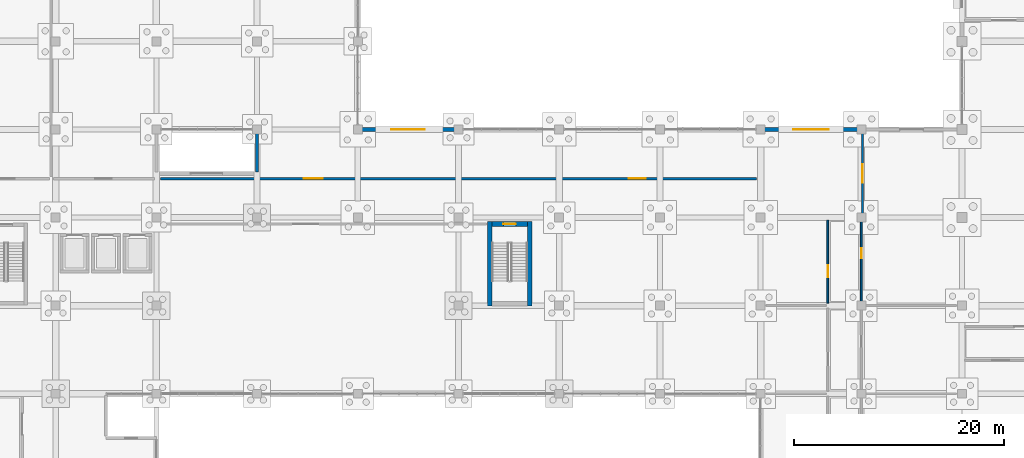
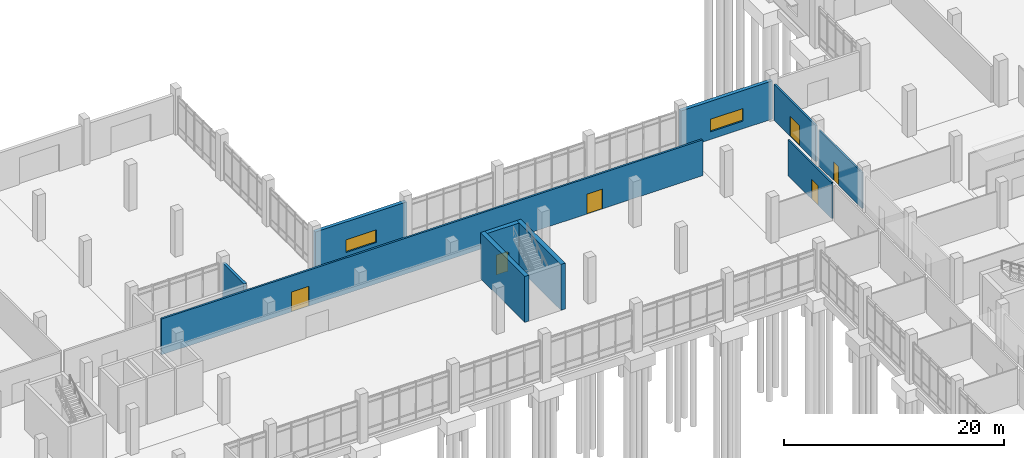
# One storey, part 110 of 136: 10 walls, 6 doors, 2 windows, 8 openings.
"""IFC4 building model written with IfcOpenShell, lengths in metres."""

from ifc_helpers import new_model, si_unit, direction, frame, frame_2d, origin, place, context, subcontext, project, spatial, rectangle, extrude, material, layer, layer_set, type_object, element, fill, save


model = new_model("IFC4")

# Units and contexts
model_context = context("Model", 3, precision=1e-05, world=origin(), true_north=direction((0.0, 1.0)))
body_context = subcontext(model_context, "Body", "Model", "MODEL_VIEW")
ifc_project = project(units=[si_unit("LENGTHUNIT", "METRE"), si_unit("AREAUNIT", "SQUARE_METRE"), si_unit("VOLUMEUNIT", "CUBIC_METRE"), si_unit("PLANEANGLEUNIT", "RADIAN"), si_unit("MASSUNIT", "GRAM", prefix="KILO")], contexts=[model_context])

# Site, building, storey
site_placement = place(None, origin())
site = spatial("IfcSite", under=ifc_project, at=site_placement, CompositionType="ELEMENT")
building_placement = place(site_placement, origin())
building = spatial("IfcBuilding", under=site, at=building_placement, Name="Oolite Switchyard Hospital", CompositionType="ELEMENT")
storey_placement = place(building_placement, origin())
storey = spatial("IfcBuildingStorey", under=building, at=storey_placement, Name="L00", CompositionType="ELEMENT", Elevation=0.0)

# Wall
ifc_material_1 = material(Name="Precast oolitic limestone architectural concrete C40/50", Category="masonry")
ifc_layer_1 = layer(ifc_material_1, 0.300048828125)
ifc_layer_set_1 = layer_set([ifc_layer_1], Name="WAL-EXT-300")
wall_type_1 = type_object("IfcWallType", Name="WAL-EXT-300", PredefinedType="SOLIDWALL", material=ifc_layer_set_1)
wall_1_placement = place(storey_placement, frame((67.199951171875, 105.159912109375, 0.0), z_axis=(0.0, 0.0, 1.0), x_axis=(0.0, 1.0, 0.0)))
element("IfcWall", 1, at=wall_1_placement, inside=storey, type_object=wall_type_1, Name="L00 Exterior Spandrel Wall 58", PredefinedType="SOLIDWALL", context=body_context, shape_type="SweptSolid", body=[
    extrude(rectangle(XDim=3.880126953125, YDim=0.300048828125, at=frame_2d((1.93994140625, 0.0))), origin(), (0.0, 0.0, 1.0), 4.239990234375),
])

# Wall, opening, window
ifc_layer_2 = layer(ifc_material_1, 0.360107421875)
ifc_layer_set_2 = layer_set([ifc_layer_2], Name="WAL-EXT-360")
wall_type_2 = type_object("IfcWallType", Name="WAL-EXT-360", PredefinedType="SOLIDWALL", material=ifc_layer_set_2)
wall_2_placement = place(storey_placement, frame((76.800048828125, 109.199951171875, 0.0), z_axis=(0.0, 0.0, 1.0), x_axis=(1.0, 0.0, 0.0)))
wall_2 = element("IfcWall", 2, at=wall_2_placement, inside=storey, type_object=wall_type_2, Name="L00 Exterior Spandrel Wall 26", PredefinedType="SOLIDWALL", context=body_context, shape_type="SweptSolid", body=[
    extrude(rectangle(XDim=9.599853515625, YDim=0.360107421875, at=frame_2d((4.7998046875, 0.0))), origin(), (0.0, 0.0, 1.0), 4.239990234375),
])
opening_1_placement = place(wall_2_placement, frame((3.199951171875, 0.0, 0.85009765625)))
opening_1 = element("IfcOpeningElement", 3, at=opening_1_placement, cuts=wall_2, Name="Opening WN-0011", PredefinedType="OPENING", context=body_context, shape_type="SweptSolid", body=[
    extrude(rectangle(XDim=3.199951171875, YDim=1.39990234375, at=frame_2d((1.60009765625, 0.699951171875))), frame((0.0, 0.18994140625, 0.0), z_axis=(0.0, -1.0, 0.0), x_axis=(1.0, 0.0, 0.0)), (0.0, 0.0, 1.0), 0.380126953125),
])
ifc_material_2 = material(Name="Thermally broken aluminum frame with laminated impact glazing", Category="aluminium")
window_type_1 = type_object("IfcWindowType", Name="WIN-IMP-320X140", PartitioningType="SINGLE_PANEL", PredefinedType="WINDOW", material=ifc_material_2)
window_1_placement = place(opening_1_placement, origin())
window_1 = element("IfcWindow", 4, at=window_1_placement, inside=storey, type_object=window_type_1, Name="L00 Hurricane Impact Window WN-0011", OverallHeight=1.39990234375, OverallWidth=3.199951171875, PartitioningType="SINGLE_PANEL", PredefinedType="WINDOW", context=body_context, shape_type="SweptSolid", body=[
    extrude(rectangle(XDim=3.199951171875, YDim=1.39990234375, at=frame_2d((1.60009765625, 0.699951171875))), frame((0.0, 0.030029296875, 0.0), z_axis=(0.0, -1.0, 0.0), x_axis=(1.0, 0.0, 0.0)), (0.0, 0.0, 1.0), 0.06005859375),
])
fill(opening_1, window_1)

ifc_layer_3 = layer(ifc_material_1, 0.3798828125)
ifc_layer_set_3 = layer_set([ifc_layer_3], Name="WAL-EXT-380")
wall_type_3 = type_object("IfcWallType", Name="WAL-EXT-380", PredefinedType="SOLIDWALL", material=ifc_layer_set_3)
wall_3_placement = place(storey_placement, frame((115.199951171875, 109.199951171875, 0.0), z_axis=(0.0, 0.0, 1.0), x_axis=(1.0, 0.0, 0.0)))
wall_3 = element("IfcWall", 5, at=wall_3_placement, inside=storey, type_object=wall_type_3, Name="L00 Exterior Spandrel Wall 27", PredefinedType="SOLIDWALL", context=body_context, shape_type="SweptSolid", body=[
    extrude(rectangle(XDim=9.60009765625, YDim=0.3798828125, at=frame_2d((4.800048828125, 0.0))), origin(), (0.0, 0.0, 1.0), 4.239990234375),
])
opening_2_placement = place(wall_3_placement, frame((3.10009765625, 0.0, 0.85009765625)))
opening_2 = element("IfcOpeningElement", 6, at=opening_2_placement, cuts=wall_3, Name="Opening WN-0012", PredefinedType="OPENING", context=body_context, shape_type="SweptSolid", body=[
    extrude(rectangle(XDim=3.39990234375, YDim=1.39990234375, at=frame_2d((1.699951171875, 0.699951171875))), frame((0.0, 0.199951171875, 0.0), z_axis=(0.0, -1.0, 0.0), x_axis=(1.0, 0.0, 0.0)), (0.0, 0.0, 1.0), 0.39990234375),
])
window_type_2 = type_object("IfcWindowType", Name="WIN-IMP-340X140", PartitioningType="SINGLE_PANEL", PredefinedType="WINDOW", material=ifc_material_2)
window_2_placement = place(opening_2_placement, origin())
window_2 = element("IfcWindow", 7, at=window_2_placement, inside=storey, type_object=window_type_2, Name="L00 Hurricane Impact Window WN-0012", OverallHeight=1.39990234375, OverallWidth=3.39990234375, PartitioningType="SINGLE_PANEL", PredefinedType="WINDOW", context=body_context, shape_type="SweptSolid", body=[
    extrude(rectangle(XDim=3.39990234375, YDim=1.39990234375, at=frame_2d((1.699951171875, 0.699951171875))), frame((0.0, 0.030029296875, 0.0), z_axis=(0.0, -1.0, 0.0), x_axis=(1.0, 0.0, 0.0)), (0.0, 0.0, 1.0), 0.06005859375),
])
fill(opening_2, window_2)

# Wall, opening, door
ifc_material_3 = material(Name="Moisture-resistant gypsum board on steel studs", Category="steel")
ifc_layer_4 = layer(ifc_material_3, 0.1650390625)
ifc_layer_set_4 = layer_set([ifc_layer_4], Name="WAL-PART-165")
wall_type_4 = type_object("IfcWallType", Name="WAL-PART-165", PredefinedType="PARTITIONING", material=ifc_layer_set_4)
wall_4_placement = place(storey_placement, frame((121.60009765625, 92.64990234375, 0.0), z_axis=(0.0, 0.0, 1.0), x_axis=(0.0, 1.0, 0.0)))
wall_4 = element("IfcWall", 8, at=wall_4_placement, inside=storey, type_object=wall_type_4, Name="L00 Interior Partition 75", PredefinedType="PARTITIONING", context=body_context, shape_type="SweptSolid", body=[
    extrude(rectangle(XDim=7.900146484375, YDim=0.1650390625, at=frame_2d((3.9501953125, 0.0))), origin(), (0.0, 0.0, 1.0), 3.97998046875),
])
opening_3_placement = place(wall_4_placement, frame((2.449951171875, 0.0, 0.0)))
opening_3 = element("IfcOpeningElement", 9, at=opening_3_placement, cuts=wall_4, Name="Opening D-0045", PredefinedType="OPENING", context=body_context, shape_type="SweptSolid", body=[
    extrude(rectangle(XDim=1.14990234375, YDim=2.199951171875, at=frame_2d((0.574951171875, 1.10009765625))), frame((0.0, 0.092529296875, 0.0), z_axis=(0.0, -1.0, 0.0), x_axis=(1.0, 0.0, 0.0)), (0.0, 0.0, 1.0), 0.18505859375),
])
ifc_material_4 = material(Name="Solid-core antimicrobial hardwood leaf in steel frame", Category="steel")
door_type_1 = type_object("IfcDoorType", Name="DR-CLIN-115X220", OperationType="NOTDEFINED", PredefinedType="DOOR", material=ifc_material_4)
door_1_placement = place(opening_3_placement, origin())
door_1 = element("IfcDoor", 10, at=door_1_placement, inside=storey, type_object=door_type_1, Name="L00 Interior Door D-0045", OperationType="SINGLE_SWING_RIGHT", OverallHeight=2.199951171875, OverallWidth=1.14990234375, PredefinedType="DOOR", context=body_context, shape_type="SweptSolid", body=[
    extrude(rectangle(XDim=1.14990234375, YDim=2.199951171875, at=frame_2d((0.574951171875, 1.10009765625))), frame((0.0, 0.02490234375, 0.0), z_axis=(0.0, -1.0, 0.0), x_axis=(1.0, 0.0, 0.0)), (0.0, 0.0, 1.0), 0.050048828125),
])
fill(opening_3, door_1)

wall_5_placement = place(storey_placement, frame((124.800048828125, 92.64990234375, 0.0), z_axis=(0.0, 0.0, 1.0), x_axis=(0.0, 1.0, 0.0)))
wall_5 = element("IfcWall", 11, at=wall_5_placement, inside=storey, type_object=wall_type_4, Name="L00 Interior Partition 77", PredefinedType="PARTITIONING", context=body_context, shape_type="SweptSolid", body=[
    extrude(rectangle(XDim=7.900146484375, YDim=0.1650390625, at=frame_2d((3.9501953125, 0.0))), origin(), (0.0, 0.0, 1.0), 3.97998046875),
])
opening_4_placement = place(wall_5_placement, frame((4.25, 0.0, 0.0)))
opening_4 = element("IfcOpeningElement", 12, at=opening_4_placement, cuts=wall_5, Name="Opening D-0046", PredefinedType="OPENING", context=body_context, shape_type="SweptSolid", body=[
    extrude(rectangle(XDim=0.949951171875, YDim=2.10009765625, at=frame_2d((0.47509765625, 1.050048828125))), frame((0.0, 0.092529296875, 0.0), z_axis=(0.0, -1.0, 0.0), x_axis=(1.0, 0.0, 0.0)), (0.0, 0.0, 1.0), 0.18505859375),
])
door_type_2 = type_object("IfcDoorType", Name="DR-BATH-095X210", OperationType="NOTDEFINED", PredefinedType="DOOR", material=ifc_material_4)
door_2_placement = place(opening_4_placement, origin())
door_2 = element("IfcDoor", 13, at=door_2_placement, inside=storey, type_object=door_type_2, Name="L00 Interior Door D-0046", OperationType="SINGLE_SWING_LEFT", OverallHeight=2.10009765625, OverallWidth=0.949951171875, PredefinedType="DOOR", context=body_context, shape_type="SweptSolid", body=[
    extrude(rectangle(XDim=0.949951171875, YDim=2.10009765625, at=frame_2d((0.47509765625, 1.050048828125))), frame((0.0, 0.02490234375, 0.0), z_axis=(0.0, -1.0, 0.0), x_axis=(1.0, 0.0, 0.0)), (0.0, 0.0, 1.0), 0.050048828125),
])
fill(opening_4, door_2)

# Walls
ifc_material_5 = material(Name="Concrete C50/60", Category="concrete")
ifc_layer_5 = layer(ifc_material_5, 0.449951171875)
ifc_layer_set_5 = layer_set([ifc_layer_5], Name="WAL-SHR-450")
wall_type_5 = type_object("IfcWallType", Name="WAL-SHR-450", PredefinedType="SHEAR", material=ifc_layer_set_5)
for number, where, z_axis, x_axis, name in (
    (14, (89.375, 100.39990234375, 0.0), (0.0, 0.0, 1.0), (0.0, -1.0, 0.0), "L00 Core Shear Wall ST-09"),
    (15, (93.18505859375, 92.35009765625, 0.0), (0.0, 0.0, 1.0), (0.0, 1.0, 0.0), "L00 Core Shear Wall ST-09"),
):
    element("IfcWall", number, at=place(storey_placement, frame(where, z_axis=z_axis, x_axis=x_axis)), inside=storey, type_object=wall_type_5, Name=name, PredefinedType="SHEAR", context=body_context, shape_type="SweptSolid", body=[
        extrude(rectangle(XDim=8.0498046875, YDim=0.449951171875, at=frame_2d((4.02490234375, 0.0))), origin(), (0.0, 0.0, 1.0), 5.10009765625),
    ])

# Wall, opening, door
wall_6_placement = place(storey_placement, frame((92.9599609375, 100.175048828125, 0.0), z_axis=(0.0, 0.0, 1.0), x_axis=(-1.0, 0.0, 0.0)))
wall_6 = element("IfcWall", 16, at=wall_6_placement, inside=storey, type_object=wall_type_5, Name="L00 Core Shear Wall ST-09", PredefinedType="SHEAR", context=body_context, shape_type="SweptSolid", body=[
    extrude(rectangle(XDim=3.35986328125, YDim=0.449951171875, at=frame_2d((1.679931640625, 0.0))), origin(), (0.0, 0.0, 1.0), 5.10009765625),
])
opening_5_placement = place(wall_6_placement, frame((1.080078125, 0.0, 0.0)))
opening_5 = element("IfcOpeningElement", 17, at=opening_5_placement, cuts=wall_6, Name="Opening SD-049", PredefinedType="OPENING", context=body_context, shape_type="SweptSolid", body=[
    extrude(rectangle(XDim=1.199951171875, YDim=2.199951171875, at=frame_2d((0.60009765625, 1.10009765625))), frame((0.0, 0.23486328125, 0.0), z_axis=(0.0, -1.0, 0.0), x_axis=(1.0, 0.0, 0.0)), (0.0, 0.0, 1.0), 0.469970703125),
])
ifc_material_6 = material(Name="Hollow metal fire-rated steel door assembly", Category="steel")
door_type_3 = type_object("IfcDoorType", Name="DR-STR-120X220", OperationType="NOTDEFINED", PredefinedType="DOOR", material=ifc_material_6)
door_3_placement = place(opening_5_placement, origin())
door_3 = element("IfcDoor", 18, at=door_3_placement, inside=storey, type_object=door_type_3, Name="L00 ST-09 Exit Stair Door SD-049", OperationType="SINGLE_SWING_LEFT", OverallHeight=2.199951171875, OverallWidth=1.199951171875, PredefinedType="DOOR", context=body_context, shape_type="SweptSolid", body=[
    extrude(rectangle(XDim=1.199951171875, YDim=2.199951171875, at=frame_2d((0.60009765625, 1.10009765625))), frame((0.0, 0.02490234375, 0.0), z_axis=(0.0, -1.0, 0.0), x_axis=(1.0, 0.0, 0.0)), (0.0, 0.0, 1.0), 0.050048828125),
])
fill(opening_5, door_3)

ifc_layer_6 = layer(ifc_material_3, 0.199951171875)
ifc_layer_set_6 = layer_set([ifc_layer_6], Name="WAL-SMK-200")
wall_type_6 = type_object("IfcWallType", Name="WAL-SMK-200", PredefinedType="PARTITIONING", material=ifc_layer_set_6)
wall_7_placement = place(storey_placement, frame((124.89990234375, 101.199951171875, 0.0), z_axis=(0.0, 0.0, 1.0), x_axis=(0.0, 1.0, 0.0)))
wall_7 = element("IfcWall", 19, at=wall_7_placement, inside=storey, type_object=wall_type_6, Name="L00 Interior Partition 79", PredefinedType="PARTITIONING", context=body_context, shape_type="SweptSolid", body=[
    extrude(rectangle(XDim=7.60009765625, YDim=0.199951171875, at=frame_2d((3.800048828125, 0.0))), origin(), (0.0, 0.0, 1.0), 3.97998046875),
])
opening_6_placement = place(wall_7_placement, frame((2.89990234375, 0.0, 0.0)))
opening_6 = element("IfcOpeningElement", 20, at=opening_6_placement, cuts=wall_7, Name="Opening D-0047", PredefinedType="OPENING", context=body_context, shape_type="SweptSolid", body=[
    extrude(rectangle(XDim=1.800048828125, YDim=2.199951171875, at=frame_2d((0.89990234375, 1.10009765625))), frame((0.0, 0.10986328125, 0.0), z_axis=(0.0, -1.0, 0.0), x_axis=(1.0, 0.0, 0.0)), (0.0, 0.0, 1.0), 0.219970703125),
])
door_type_4 = type_object("IfcDoorType", Name="DR-DBL-180X220", OperationType="NOTDEFINED", PredefinedType="DOOR", material=ifc_material_6)
door_4_placement = place(opening_6_placement, origin())
door_4 = element("IfcDoor", 21, at=door_4_placement, inside=storey, type_object=door_type_4, Name="L00 Interior Door D-0047", OperationType="DOUBLE_DOOR_SINGLE_SWING", OverallHeight=2.199951171875, OverallWidth=1.800048828125, PredefinedType="DOOR", context=body_context, shape_type="SweptSolid", body=[
    extrude(rectangle(XDim=1.800048828125, YDim=2.199951171875, at=frame_2d((0.89990234375, 1.10009765625))), frame((0.0, 0.02490234375, 0.0), z_axis=(0.0, -1.0, 0.0), x_axis=(1.0, 0.0, 0.0)), (0.0, 0.0, 1.0), 0.050048828125),
])
fill(opening_6, door_4)

# Wall, openings, doors
wall_8_placement = place(storey_placement, frame((58.0, 104.5, 0.0), z_axis=(0.0, 0.0, 1.0), x_axis=(1.0, 0.0, 0.0)))
wall_8 = element("IfcWall", 22, at=wall_8_placement, inside=storey, type_object=wall_type_6, Name="L00 Interior Partition 85", PredefinedType="PARTITIONING", context=body_context, shape_type="SweptSolid", body=[
    extrude(rectangle(XDim=56.800048828125, YDim=0.199951171875, at=frame_2d((28.39990234375, 0.0))), origin(), (0.0, 0.0, 1.0), 3.97998046875),
])
opening_7_placement = place(wall_8_placement, frame((13.64990234375, 0.0, 0.0)))
opening_7 = element("IfcOpeningElement", 23, at=opening_7_placement, cuts=wall_8, Name="Opening D-0051", PredefinedType="OPENING", context=body_context, shape_type="SweptSolid", body=[
    extrude(rectangle(XDim=1.800048828125, YDim=2.199951171875, at=frame_2d((0.89990234375, 1.10009765625))), frame((0.0, 0.10986328125, 0.0), z_axis=(0.0, -1.0, 0.0), x_axis=(1.0, 0.0, 0.0)), (0.0, 0.0, 1.0), 0.219970703125),
])
opening_8_placement = place(wall_8_placement, frame((44.64990234375, 0.0, 0.0)))
opening_8 = element("IfcOpeningElement", 24, at=opening_8_placement, cuts=wall_8, Name="Opening D-0052", PredefinedType="OPENING", context=body_context, shape_type="SweptSolid", body=[
    extrude(rectangle(XDim=1.60009765625, YDim=2.199951171875, at=frame_2d((0.800048828125, 1.10009765625))), frame((0.0, 0.10986328125, 0.0), z_axis=(0.0, -1.0, 0.0), x_axis=(1.0, 0.0, 0.0)), (0.0, 0.0, 1.0), 0.219970703125),
])
door_type_5 = type_object("IfcDoorType", Name="DR-DBL-160X220", OperationType="NOTDEFINED", PredefinedType="DOOR", material=ifc_material_6)
door_5_placement = place(opening_8_placement, origin())
door_5 = element("IfcDoor", 25, at=door_5_placement, inside=storey, type_object=door_type_5, Name="L00 Interior Door D-0052", OperationType="DOUBLE_DOOR_SINGLE_SWING", OverallHeight=2.199951171875, OverallWidth=1.60009765625, PredefinedType="DOOR", context=body_context, shape_type="SweptSolid", body=[
    extrude(rectangle(XDim=1.60009765625, YDim=2.199951171875, at=frame_2d((0.800048828125, 1.10009765625))), frame((0.0, 0.02490234375, 0.0), z_axis=(0.0, -1.0, 0.0), x_axis=(1.0, 0.0, 0.0)), (0.0, 0.0, 1.0), 0.050048828125),
])
fill(opening_8, door_5)
door_6_placement = place(opening_7_placement, origin())
door_6 = element("IfcDoor", 26, at=door_6_placement, inside=storey, type_object=door_type_4, Name="L00 Interior Door D-0051", OperationType="DOUBLE_DOOR_SINGLE_SWING", OverallHeight=2.199951171875, OverallWidth=1.800048828125, PredefinedType="DOOR", context=body_context, shape_type="SweptSolid", body=[
    extrude(rectangle(XDim=1.800048828125, YDim=2.199951171875, at=frame_2d((0.89990234375, 1.10009765625))), frame((0.0, 0.02490234375, 0.0), z_axis=(0.0, -1.0, 0.0), x_axis=(1.0, 0.0, 0.0)), (0.0, 0.0, 1.0), 0.050048828125),
])
fill(opening_7, door_6)

save(model, "model.ifc")
